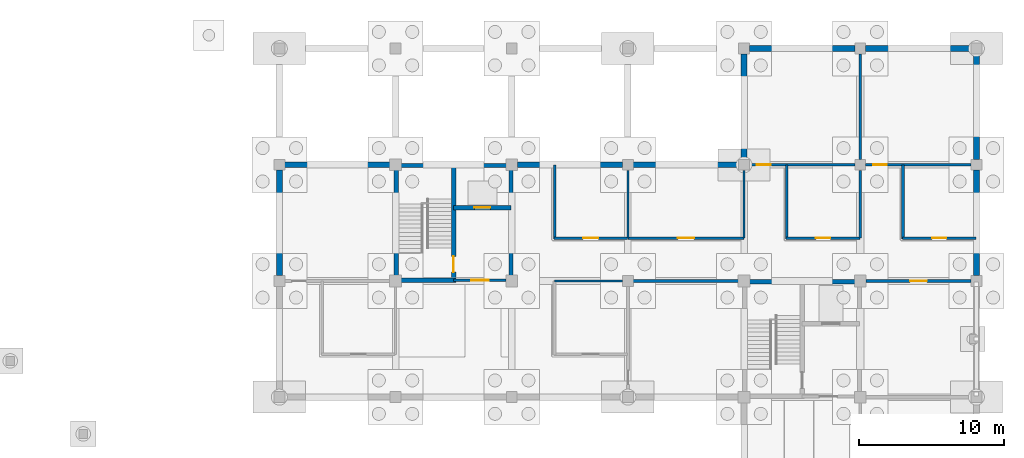
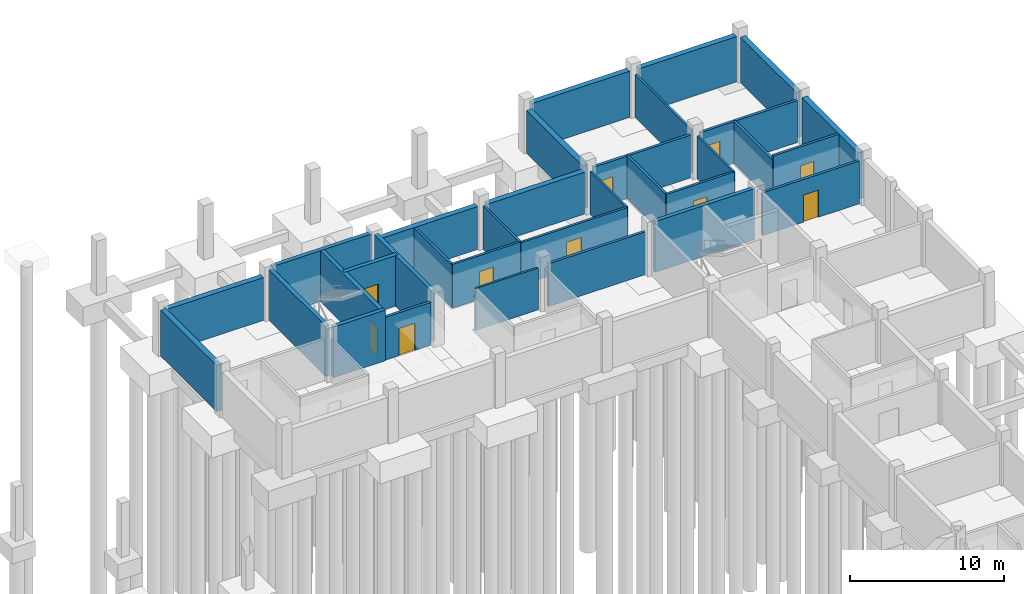
# One storey, part 38 of 48: 33 walls, 10 doors, 10 openings.
"""IFC4 building model written with IfcOpenShell, lengths in metres."""

from ifc_helpers import new_model, si_unit, derived_unit, direction, frame, frame_2d, origin, place, context, subcontext, project, spatial, rectangle, extrude, material, layer, layer_set, type_object, element, fill, save


model = new_model("IFC4")

# Units and contexts
model_context = context("Model", 3, precision=1e-05, world=origin(), true_north=direction((0.0, 1.0)))
body_context = subcontext(model_context, "Body", "Model", "MODEL_VIEW")
ifc_project = project(units=[si_unit("LENGTHUNIT", "METRE"), si_unit("AREAUNIT", "SQUARE_METRE"), si_unit("VOLUMEUNIT", "CUBIC_METRE"), si_unit("PLANEANGLEUNIT", "RADIAN"), si_unit("MASSUNIT", "GRAM", prefix="KILO"), derived_unit("THERMALTRANSMITTANCEUNIT", [(si_unit("MASSUNIT", "GRAM", prefix="KILO"), 1), (si_unit("TIMEUNIT", "SECOND"), -3), (si_unit("THERMODYNAMICTEMPERATUREUNIT", "KELVIN"), -1)])], contexts=[model_context])

# Site, building, storey
site_placement = place(None, origin())
site = spatial("IfcSite", under=ifc_project, at=site_placement, CompositionType="ELEMENT")
building_placement = place(site_placement, origin())
building = spatial("IfcBuilding", under=site, at=building_placement, Name="Veyamyaing Civic Hall", CompositionType="ELEMENT")
storey_placement = place(building_placement, frame((0.0, 0.0, -4.2900390625)))
storey = spatial("IfcBuildingStorey", under=building, at=storey_placement, Name="B1", CompositionType="ELEMENT", Elevation=-4.2900390625)

# Walls
ifc_material_1 = material(Name="Concrete C40/50", Category="concrete")
ifc_layer_1 = layer(ifc_material_1, 0.39990234375, Name="Concrete C40/50")
ifc_layer_set_1 = layer_set([ifc_layer_1], Name="Concrete C40/50")
wall_type_1 = type_object("IfcWallType", Name="WT-01", PredefinedType="SHEAR", material=ifc_layer_set_1)
wall_1_placement = place(storey_placement, frame((128.360107421875, 104.0, 0.0), z_axis=(0.0, 0.0, 1.0), x_axis=(1.0, 0.0, 0.0)))
element("IfcWall", 1, at=wall_1_placement, inside=storey, type_object=wall_type_1, Name="Basement retaining wall WT-01 N 17.13", PredefinedType="SHEAR", context=body_context, shape_type="SweptSolid", body=[
    extrude(rectangle(XDim=7.2548828125, YDim=0.39990234375, at=frame_2d((3.62744140625, 0.0))), origin(), (0.0, 0.0, 1.0), 3.39013671875),
])
wall_2_placement = place(storey_placement, frame((128.0, 96.360107421875, 0.0), z_axis=(0.0, 0.0, 1.0), x_axis=(0.0, 1.0, 0.0)))
element("IfcWall", 2, at=wall_2_placement, inside=storey, type_object=wall_type_1, Name="Basement retaining wall WT-01 W 17.13", PredefinedType="SHEAR", context=body_context, shape_type="SweptSolid", body=[
    extrude(rectangle(XDim=7.27978515625, YDim=0.39990234375, at=frame_2d((3.639892578125, 0.0))), origin(), (0.0, 0.0, 1.0), 3.656982421875),
])
wall_3_placement = place(storey_placement, frame((144.385009765625, 104.0, 0.0), z_axis=(0.0, 0.0, 1.0), x_axis=(1.0, 0.0, 0.0)))
element("IfcWall", 3, at=wall_3_placement, inside=storey, type_object=wall_type_1, Name="Basement retaining wall WT-01 N 19.13", PredefinedType="SHEAR", context=body_context, shape_type="SweptSolid", body=[
    extrude(rectangle(XDim=7.2548828125, YDim=0.39990234375, at=frame_2d((3.62744140625, 0.0))), origin(), (0.0, 0.0, 1.0), 3.39111328125),
])
wall_4_placement = place(storey_placement, frame((152.360107421875, 104.0, 0.0), z_axis=(0.0, 0.0, 1.0), x_axis=(1.0, 0.0, 0.0)))
element("IfcWall", 4, at=wall_4_placement, inside=storey, type_object=wall_type_1, Name="Basement retaining wall WT-01 N 20.13", PredefinedType="SHEAR", context=body_context, shape_type="SweptSolid", body=[
    extrude(rectangle(XDim=7.27978515625, YDim=0.39990234375, at=frame_2d((3.639892578125, 0.0))), origin(), (0.0, 0.0, 1.0), 3.31396484375),
])
wall_5_placement = place(storey_placement, frame((160.360107421875, 112.0, 0.0), z_axis=(0.0, 0.0, 1.0), x_axis=(1.0, 0.0, 0.0)))
element("IfcWall", 5, at=wall_5_placement, inside=storey, type_object=wall_type_1, Name="Basement retaining wall WT-01 N 21.14", PredefinedType="SHEAR", context=body_context, shape_type="SweptSolid", body=[
    extrude(rectangle(XDim=7.27978515625, YDim=0.39990234375, at=frame_2d((3.639892578125, 0.0))), origin(), (0.0, 0.0, 1.0), 3.654052734375),
])
wall_6_placement = place(storey_placement, frame((160.0, 104.360107421875, 0.0), z_axis=(0.0, 0.0, 1.0), x_axis=(0.0, 1.0, 0.0)))
element("IfcWall", 6, at=wall_6_placement, inside=storey, type_object=wall_type_1, Name="Basement retaining wall WT-01 W 21.14", PredefinedType="SHEAR", context=body_context, shape_type="SweptSolid", body=[
    extrude(rectangle(XDim=7.27978515625, YDim=0.39990234375, at=frame_2d((3.639892578125, 0.0))), origin(), (0.0, 0.0, 1.0), 3.39892578125),
])
wall_7_placement = place(storey_placement, frame((176.0, 96.360107421875, 0.0), z_axis=(0.0, 0.0, 1.0), x_axis=(0.0, 1.0, 0.0)))
element("IfcWall", 7, at=wall_7_placement, inside=storey, type_object=wall_type_1, Name="Basement retaining wall WT-01 E 22.13", PredefinedType="SHEAR", context=body_context, shape_type="SweptSolid", body=[
    extrude(rectangle(XDim=7.27978515625, YDim=0.39990234375, at=frame_2d((3.639892578125, 0.0))), origin(), (0.0, 0.0, 1.0), 3.654052734375),
])
for number, where, z_axis, x_axis, name in (
    (8, (168.360107421875, 112.0, 0.0), (0.0, 0.0, 1.0), (1.0, 0.0, 0.0), "Basement retaining wall WT-01 N 22.14"),
    (9, (176.0, 104.360107421875, 0.0), (0.0, 0.0, 1.0), (0.0, 1.0, 0.0), "Basement retaining wall WT-01 E 22.14"),
):
    element("IfcWall", number, at=place(storey_placement, frame(where, z_axis=z_axis, x_axis=x_axis)), inside=storey, type_object=wall_type_1, Name=name, PredefinedType="SHEAR", context=body_context, shape_type="SweptSolid", body=[
        extrude(rectangle(XDim=7.27978515625, YDim=0.39990234375, at=frame_2d((3.639892578125, 0.0))), origin(), (0.0, 0.0, 1.0), 3.593994140625),
    ])
ifc_layer_2 = layer(ifc_material_1, 0.300048828125, Name="Concrete C40/50")
ifc_layer_set_2 = layer_set([ifc_layer_2], Name="Concrete C40/50")
wall_type_2 = type_object("IfcWallType", Name="WT-05", PredefinedType="SHEAR", material=ifc_layer_set_2)
for number, where, z_axis, x_axis, name in (
    (10, (160.2900390625, 95.949951171875, 0.0), (0.0, 0.0, 1.0), (1.0, 0.0, 0.0), "Core shear wall WT-05 CORE-3 B1.N"),
    (11, (136.050048828125, 96.2900390625, 0.0), (0.0, 0.0, 1.0), (0.0, 1.0, 0.0), "Core shear wall WT-05 CORE-4 B1.W"),
    (12, (136.2900390625, 103.949951171875, 0.0), (0.0, 0.0, 1.0), (1.0, 0.0, 0.0), "Core shear wall WT-05 CORE-4 B1.N"),
    (13, (143.949951171875, 96.2900390625, 0.0), (0.0, 0.0, 1.0), (0.0, 1.0, 0.0), "Core shear wall WT-05 CORE-4 B1.E"),
):
    element("IfcWall", number, at=place(storey_placement, frame(where, z_axis=z_axis, x_axis=x_axis)), inside=storey, type_object=wall_type_2, Name=name, PredefinedType="SHEAR", context=body_context, shape_type="SweptSolid", body=[
        extrude(rectangle(XDim=7.419921875, YDim=0.300048828125, at=frame_2d((3.7099609375, 0.0))), origin(), (0.0, 0.0, 1.0), 4.01513671875),
    ])
wall_8_placement = place(storey_placement, frame((136.2900390625, 96.050048828125, 0.0), z_axis=(0.0, 0.0, 1.0), x_axis=(1.0, 0.0, 0.0)))
element("IfcWall", 14, at=wall_8_placement, inside=storey, type_object=wall_type_2, Name="Core shear wall WT-05 CORE-4 B1.SS", PredefinedType="SHEAR", context=body_context, shape_type="SweptSolid", body=[
    extrude(rectangle(XDim=3.85986328125, YDim=0.300048828125, at=frame_2d((1.929931640625, 0.0))), origin(), (0.0, 0.0, 1.0), 4.01513671875),
])

# Wall, opening, door
wall_9_placement = place(storey_placement, frame((140.0, 96.050048828125, 0.0), z_axis=(0.0, 0.0, 1.0), x_axis=(0.0, 1.0, 0.0)))
wall_9 = element("IfcWall", 15, at=wall_9_placement, inside=storey, type_object=wall_type_2, Name="Core shear wall WT-05 CORE-4 B1.MID", PredefinedType="SHEAR", context=body_context, shape_type="SweptSolid", body=[
    extrude(rectangle(XDim=7.89990234375, YDim=0.300048828125, at=frame_2d((3.949951171875, 0.0))), origin(), (0.0, 0.0, 1.0), 4.01513671875),
])
opening_1_placement = place(wall_9_placement, frame((0.550048828125, 0.0, 0.0)))
opening_1 = element("IfcOpeningElement", 16, at=opening_1_placement, cuts=wall_9, Name="Opening D-03", PredefinedType="OPENING", context=body_context, shape_type="SweptSolid", body=[
    extrude(rectangle(XDim=1.10009765625, YDim=2.14990234375, at=frame_2d((0.550048828125, 1.074951171875))), frame((0.0, 0.159912109375, 0.0), z_axis=(0.0, -1.0, 0.0), x_axis=(1.0, 0.0, 0.0)), (0.0, 0.0, 1.0), 0.320068359375),
])
ifc_material_2 = material(Name="Galvanized steel S355J2", Category="steel")
door_type_1 = type_object("IfcDoorType", Name="D-03", OperationType="NOTDEFINED", PredefinedType="DOOR", material=ifc_material_2)
door_1_placement = place(opening_1_placement, origin())
door_1 = element("IfcDoor", 17, at=door_1_placement, inside=storey, type_object=door_type_1, Name="Exit stair fire door D-03 ST-04 B1", OperationType="SINGLE_SWING_LEFT", OverallHeight=2.14990234375, OverallWidth=1.10009765625, PredefinedType="DOOR", context=body_context, shape_type="SweptSolid", body=[
    extrude(rectangle(XDim=1.10009765625, YDim=2.14990234375, at=frame_2d((0.550048828125, 1.074951171875))), frame((0.0, 0.02490234375, 0.0), z_axis=(0.0, -1.0, 0.0), x_axis=(1.0, 0.0, 0.0)), (0.0, 0.0, 1.0), 0.050048828125),
])
fill(opening_1, door_1)

wall_10_placement = place(storey_placement, frame((140.0, 101.050048828125, 0.0), z_axis=(0.0, 0.0, 1.0), x_axis=(1.0, 0.0, 0.0)))
wall_10 = element("IfcWall", 18, at=wall_10_placement, inside=storey, type_object=wall_type_2, Name="Core shear wall WT-05 CORE-4 B1.LFT", PredefinedType="SHEAR", context=body_context, shape_type="SweptSolid", body=[
    extrude(rectangle(XDim=3.949951171875, YDim=0.300048828125, at=frame_2d((1.97509765625, 0.0))), origin(), (0.0, 0.0, 1.0), 4.01513671875),
])
opening_2_placement = place(wall_10_placement, frame((1.425048828125, 0.0, 0.0)))
opening_2 = element("IfcOpeningElement", 19, at=opening_2_placement, cuts=wall_10, Name="Opening LD-01", PredefinedType="OPENING", context=body_context, shape_type="SweptSolid", body=[
    extrude(rectangle(XDim=1.10009765625, YDim=2.199951171875, at=frame_2d((0.550048828125, 1.10009765625))), frame((0.0, 0.159912109375, 0.0), z_axis=(0.0, -1.0, 0.0), x_axis=(1.0, 0.0, 0.0)), (0.0, 0.0, 1.0), 0.320068359375),
])
ifc_material_3 = material(Name="Anodised aluminium 6063-T6", Category="aluminium")
door_type_2 = type_object("IfcDoorType", Name="LD-01", OperationType="SLIDING_TO_LEFT", PredefinedType="DOOR", material=ifc_material_3)
door_2_placement = place(opening_2_placement, origin())
door_2 = element("IfcDoor", 20, at=door_2_placement, inside=storey, type_object=door_type_2, Name="Lift sliding landing door LD-01 PL-02 B1", OperationType="SLIDING_TO_LEFT", OverallHeight=2.199951171875, OverallWidth=1.10009765625, PredefinedType="DOOR", context=body_context, shape_type="SweptSolid", body=[
    extrude(rectangle(XDim=1.10009765625, YDim=2.199951171875, at=frame_2d((0.550048828125, 1.10009765625))), frame((0.0, 0.02490234375, 0.0), z_axis=(0.0, -1.0, 0.0), x_axis=(1.0, 0.0, 0.0)), (0.0, 0.0, 1.0), 0.050048828125),
])
fill(opening_2, door_2)

ifc_layer_3 = layer(ifc_material_1, 0.199951171875, Name="Concrete C40/50")
ifc_layer_set_3 = layer_set([ifc_layer_3], Name="Concrete C40/50")
wall_type_3 = type_object("IfcWallType", Name="WT-06", PredefinedType="PARTITIONING", material=ifc_layer_set_3)
wall_11_placement = place(storey_placement, frame((140.0, 96.050048828125, 0.0), z_axis=(0.0, 0.0, 1.0), x_axis=(1.0, 0.0, 0.0)))
wall_11 = element("IfcWall", 21, at=wall_11_placement, inside=storey, type_object=wall_type_3, Name="Firefighting lift lobby wall WT-06 CORE-4 B1", PredefinedType="PARTITIONING", context=body_context, shape_type="SweptSolid", body=[
    extrude(rectangle(XDim=3.610107421875, YDim=0.199951171875, at=frame_2d((1.80517578125, 0.0))), origin(), (0.0, 0.0, 1.0), 3.383056640625),
])
opening_3_placement = place(wall_11_placement, frame((1.205078125, 0.0, 0.0)))
opening_3 = element("IfcOpeningElement", 22, at=opening_3_placement, cuts=wall_11, Name="Opening D-04", PredefinedType="OPENING", context=body_context, shape_type="SweptSolid", body=[
    extrude(rectangle(XDim=1.199951171875, YDim=2.14990234375, at=frame_2d((0.60009765625, 1.074951171875))), frame((0.0, 0.10986328125, 0.0), z_axis=(0.0, -1.0, 0.0), x_axis=(1.0, 0.0, 0.0)), (0.0, 0.0, 1.0), 0.219970703125),
])
door_type_3 = type_object("IfcDoorType", Name="D-04", OperationType="NOTDEFINED", PredefinedType="DOOR", material=ifc_material_2)
door_3_placement = place(opening_3_placement, frame((1.199951171875, 0.0, 0.0), z_axis=(0.0, 0.0, 1.0), x_axis=(-1.0, 0.0, 0.0)))
door_3 = element("IfcDoor", 23, at=door_3_placement, inside=storey, type_object=door_type_3, Name="Protected lobby fire door D-04 CORE-4 B1", OperationType="SINGLE_SWING_RIGHT", OverallHeight=2.14990234375, OverallWidth=1.199951171875, PredefinedType="DOOR", context=body_context, shape_type="SweptSolid", body=[
    extrude(rectangle(XDim=1.199951171875, YDim=2.14990234375, at=frame_2d((0.60009765625, 1.074951171875))), frame((0.0, 0.02490234375, 0.0), z_axis=(0.0, -1.0, 0.0), x_axis=(1.0, 0.0, 0.0)), (0.0, 0.0, 1.0), 0.050048828125),
])
fill(opening_3, door_3)

# Wall
wall_12_placement = place(storey_placement, frame((152.364990234375, 96.0, 0.0), z_axis=(0.0, 0.0, 1.0), x_axis=(1.0, 0.0, 0.0)))
element("IfcWall", 24, at=wall_12_placement, inside=storey, type_object=wall_type_3, Name="Interior partition wall WT-06 B1.62", PredefinedType="PARTITIONING", context=body_context, shape_type="SweptSolid", body=[
    extrude(rectangle(XDim=7.2451171875, YDim=0.199951171875, at=frame_2d((3.62255859375, 0.0))), origin(), (0.0, 0.0, 1.0), 3.384033203125),
])

# Wall, opening, door
wall_13_placement = place(storey_placement, frame((160.364990234375, 104.0, 0.0), z_axis=(0.0, 0.0, 1.0), x_axis=(1.0, 0.0, 0.0)))
wall_13 = element("IfcWall", 25, at=wall_13_placement, inside=storey, type_object=wall_type_3, Name="Interior partition wall WT-06 B1.70", PredefinedType="PARTITIONING", context=body_context, shape_type="SweptSolid", body=[
    extrude(rectangle(XDim=7.27001953125, YDim=0.199951171875, at=frame_2d((3.635009765625, 0.0))), origin(), (0.0, 0.0, 1.0), 3.383056640625),
])
opening_4_placement = place(wall_13_placement, frame((0.52001953125, 0.0, 0.0)))
opening_4 = element("IfcOpeningElement", 26, at=opening_4_placement, cuts=wall_13, Name="Opening D-30", PredefinedType="OPENING", context=body_context, shape_type="SweptSolid", body=[
    extrude(rectangle(XDim=0.93994140625, YDim=2.1201171875, at=frame_2d((0.469970703125, 1.06005859375))), frame((0.0, 0.10986328125, 0.0), z_axis=(0.0, -1.0, 0.0), x_axis=(1.0, 0.0, 0.0)), (0.0, 0.0, 1.0), 0.219970703125),
])
ifc_material_4 = material(Name="Teak-veneered acoustic timber", Category="wood")
door_type_4 = type_object("IfcDoorType", Name="D-30", OperationType="NOTDEFINED", PredefinedType="DOOR", material=ifc_material_4)
door_4_placement = place(opening_4_placement, origin())
door_4 = element("IfcDoor", 27, at=door_4_placement, inside=storey, type_object=door_type_4, Name="Interior door D-30 B1.70", OperationType="SINGLE_SWING_RIGHT", OverallHeight=2.1201171875, OverallWidth=0.93994140625, PredefinedType="DOOR", context=body_context, shape_type="SweptSolid", body=[
    extrude(rectangle(XDim=0.93994140625, YDim=2.1201171875, at=frame_2d((0.469970703125, 1.06005859375))), frame((0.0, 0.02490234375, 0.0), z_axis=(0.0, -1.0, 0.0), x_axis=(1.0, 0.0, 0.0)), (0.0, 0.0, 1.0), 0.050048828125),
])
fill(opening_4, door_4)

wall_14_placement = place(storey_placement, frame((168.389892578125, 96.0, 0.0), z_axis=(0.0, 0.0, 1.0), x_axis=(1.0, 0.0, 0.0)))
wall_14 = element("IfcWall", 28, at=wall_14_placement, inside=storey, type_object=wall_type_3, Name="Interior partition wall WT-06 B1.73", PredefinedType="PARTITIONING", context=body_context, shape_type="SweptSolid", body=[
    extrude(rectangle(XDim=7.2451171875, YDim=0.199951171875, at=frame_2d((3.62255859375, 0.0))), origin(), (0.0, 0.0, 1.0), 3.383056640625),
])
opening_5_placement = place(wall_14_placement, frame((3.047607421875, 0.0, 0.0)))
opening_5 = element("IfcOpeningElement", 29, at=opening_5_placement, cuts=wall_14, Name="Opening D-17", PredefinedType="OPENING", context=body_context, shape_type="SweptSolid", body=[
    extrude(rectangle(XDim=1.14990234375, YDim=2.14990234375, at=frame_2d((0.574951171875, 1.074951171875))), frame((0.0, 0.10986328125, 0.0), z_axis=(0.0, -1.0, 0.0), x_axis=(1.0, 0.0, 0.0)), (0.0, 0.0, 1.0), 0.219970703125),
])
door_type_5 = type_object("IfcDoorType", Name="D-17", OperationType="NOTDEFINED", PredefinedType="DOOR", material=ifc_material_2)
door_5_placement = place(opening_5_placement, frame((1.14990234375, 0.0, 0.0), z_axis=(0.0, 0.0, 1.0), x_axis=(-1.0, 0.0, 0.0)))
door_5 = element("IfcDoor", 30, at=door_5_placement, inside=storey, type_object=door_type_5, Name="Interior door D-17 B1.73", OperationType="SINGLE_SWING_LEFT", OverallHeight=2.14990234375, OverallWidth=1.14990234375, PredefinedType="DOOR", context=body_context, shape_type="SweptSolid", body=[
    extrude(rectangle(XDim=1.14990234375, YDim=2.14990234375, at=frame_2d((0.574951171875, 1.074951171875))), frame((0.0, 0.02490234375, 0.0), z_axis=(0.0, -1.0, 0.0), x_axis=(1.0, 0.0, 0.0)), (0.0, 0.0, 1.0), 0.050048828125),
])
fill(opening_5, door_5)

wall_15_placement = place(storey_placement, frame((168.364990234375, 104.0, 0.0), z_axis=(0.0, 0.0, 1.0), x_axis=(1.0, 0.0, 0.0)))
wall_15 = element("IfcWall", 31, at=wall_15_placement, inside=storey, type_object=wall_type_3, Name="Interior partition wall WT-06 B1.74", PredefinedType="PARTITIONING", context=body_context, shape_type="SweptSolid", body=[
    extrude(rectangle(XDim=7.27001953125, YDim=0.199951171875, at=frame_2d((3.635009765625, 0.0))), origin(), (0.0, 0.0, 1.0), 3.31591796875),
])
opening_6_placement = place(wall_15_placement, frame((0.52001953125, 0.0, 0.0)))
opening_6 = element("IfcOpeningElement", 32, at=opening_6_placement, cuts=wall_15, Name="Opening D-30", PredefinedType="OPENING", context=body_context, shape_type="SweptSolid", body=[
    extrude(rectangle(XDim=0.93994140625, YDim=2.1201171875, at=frame_2d((0.469970703125, 1.06005859375))), frame((0.0, 0.10986328125, 0.0), z_axis=(0.0, -1.0, 0.0), x_axis=(1.0, 0.0, 0.0)), (0.0, 0.0, 1.0), 0.219970703125),
])
door_6_placement = place(opening_6_placement, origin())
door_6 = element("IfcDoor", 33, at=door_6_placement, inside=storey, type_object=door_type_4, Name="Interior door D-30 B1.74", OperationType="SINGLE_SWING_RIGHT", OverallHeight=2.1201171875, OverallWidth=0.93994140625, PredefinedType="DOOR", context=body_context, shape_type="SweptSolid", body=[
    extrude(rectangle(XDim=0.93994140625, YDim=2.1201171875, at=frame_2d((0.469970703125, 1.06005859375))), frame((0.0, 0.02490234375, 0.0), z_axis=(0.0, -1.0, 0.0), x_axis=(1.0, 0.0, 0.0)), (0.0, 0.0, 1.0), 0.050048828125),
])
fill(opening_6, door_6)

ifc_material_5 = material(Name="Gypsum board on acoustic steel stud", Category="steel")
ifc_layer_4 = layer(ifc_material_5, 0.175048828125, Name="Gypsum board on acoustic steel stud")
ifc_layer_set_4 = layer_set([ifc_layer_4], Name="Gypsum board on acoustic steel stud")
wall_type_4 = type_object("IfcWallType", Name="WT-07", PredefinedType="PARTITIONING", material=ifc_layer_set_4)
wall_16_placement = place(storey_placement, frame((146.89990234375, 98.949951171875, 0.0), z_axis=(0.0, 0.0, 1.0), x_axis=(1.0, 0.0, 0.0)))
wall_16 = element("IfcWall", 34, at=wall_16_placement, inside=storey, type_object=wall_type_4, Name="Corridor gallery partition WT-07 B1.45.1", PredefinedType="PARTITIONING", context=body_context, shape_type="SweptSolid", body=[
    extrude(rectangle(XDim=5.080078125, YDim=0.175048828125, at=frame_2d((2.5400390625, 0.0))), origin(), (0.0, 0.0, 1.0), 3.450927734375),
])
opening_7_placement = place(wall_16_placement, frame((2.02001953125, 0.0, 0.0)))
opening_7 = element("IfcOpeningElement", 35, at=opening_7_placement, cuts=wall_16, Name="Opening D-24", PredefinedType="OPENING", context=body_context, shape_type="SweptSolid", body=[
    extrude(rectangle(XDim=1.0400390625, YDim=2.179931640625, at=frame_2d((0.52001953125, 1.08984375))), frame((0.0, 0.097412109375, 0.0), z_axis=(0.0, -1.0, 0.0), x_axis=(1.0, 0.0, 0.0)), (0.0, 0.0, 1.0), 0.195068359375),
])
door_type_6 = type_object("IfcDoorType", Name="D-24", OperationType="NOTDEFINED", PredefinedType="DOOR", material=ifc_material_4)
door_7_placement = place(opening_7_placement, origin())
door_7 = element("IfcDoor", 36, at=door_7_placement, inside=storey, type_object=door_type_6, Name="Gallery office door D-24 B1.45", OperationType="SINGLE_SWING_LEFT", OverallHeight=2.179931640625, OverallWidth=1.0400390625, PredefinedType="DOOR", context=body_context, shape_type="SweptSolid", body=[
    extrude(rectangle(XDim=1.0400390625, YDim=2.179931640625, at=frame_2d((0.52001953125, 1.08984375))), frame((0.0, 0.02490234375, 0.0), z_axis=(0.0, -1.0, 0.0), x_axis=(1.0, 0.0, 0.0)), (0.0, 0.0, 1.0), 0.050048828125),
])
fill(opening_7, door_7)

# Wall
wall_17_placement = place(storey_placement, frame((146.949951171875, 98.89990234375, 0.0), z_axis=(0.0, 0.0, 1.0), x_axis=(0.0, 1.0, 0.0)))
element("IfcWall", 37, at=wall_17_placement, inside=storey, type_object=wall_type_4, Name="Corridor gallery partition WT-07 B1.45.2", PredefinedType="PARTITIONING", context=body_context, shape_type="SweptSolid", body=[
    extrude(rectangle(XDim=5.080078125, YDim=0.175048828125, at=frame_2d((2.5400390625, 0.0))), origin(), (0.0, 0.0, 1.0), 3.384033203125),
])

# Wall, opening, door
wall_18_placement = place(storey_placement, frame((152.02001953125, 98.949951171875, 0.0), z_axis=(0.0, 0.0, 1.0), x_axis=(1.0, 0.0, 0.0)))
wall_18 = element("IfcWall", 38, at=wall_18_placement, inside=storey, type_object=wall_type_4, Name="Corridor gallery partition WT-07 B1.47.1", PredefinedType="PARTITIONING", context=body_context, shape_type="SweptSolid", body=[
    extrude(rectangle(XDim=7.9599609375, YDim=0.175048828125, at=frame_2d((3.97998046875, 0.0))), origin(), (0.0, 0.0, 1.0), 3.383056640625),
])
opening_8_placement = place(wall_18_placement, frame((3.419921875, 0.0, 0.0)))
opening_8 = element("IfcOpeningElement", 39, at=opening_8_placement, cuts=wall_18, Name="Opening D-26", PredefinedType="OPENING", context=body_context, shape_type="SweptSolid", body=[
    extrude(rectangle(XDim=1.1201171875, YDim=2.219970703125, at=frame_2d((0.56005859375, 1.10986328125))), frame((0.0, 0.097412109375, 0.0), z_axis=(0.0, -1.0, 0.0), x_axis=(1.0, 0.0, 0.0)), (0.0, 0.0, 1.0), 0.195068359375),
])
door_type_7 = type_object("IfcDoorType", Name="D-26", OperationType="NOTDEFINED", PredefinedType="DOOR", material=ifc_material_4)
door_8_placement = place(opening_8_placement, origin())
door_8 = element("IfcDoor", 40, at=door_8_placement, inside=storey, type_object=door_type_7, Name="Gallery office door D-26 B1.47", OperationType="SINGLE_SWING_LEFT", OverallHeight=2.219970703125, OverallWidth=1.1201171875, PredefinedType="DOOR", context=body_context, shape_type="SweptSolid", body=[
    extrude(rectangle(XDim=1.1201171875, YDim=2.219970703125, at=frame_2d((0.56005859375, 1.10986328125))), frame((0.0, 0.02490234375, 0.0), z_axis=(0.0, -1.0, 0.0), x_axis=(1.0, 0.0, 0.0)), (0.0, 0.0, 1.0), 0.050048828125),
])
fill(opening_8, door_8)

wall_19_placement = place(storey_placement, frame((162.89990234375, 98.949951171875, 0.0), z_axis=(0.0, 0.0, 1.0), x_axis=(1.0, 0.0, 0.0)))
wall_19 = element("IfcWall", 41, at=wall_19_placement, inside=storey, type_object=wall_type_4, Name="Corridor gallery partition WT-07 B1.51.1", PredefinedType="PARTITIONING", context=body_context, shape_type="SweptSolid", body=[
    extrude(rectangle(XDim=5.080078125, YDim=0.175048828125, at=frame_2d((2.5400390625, 0.0))), origin(), (0.0, 0.0, 1.0), 3.39208984375),
])
opening_9_placement = place(wall_19_placement, frame((2.0400390625, 0.0, 0.0)))
opening_9 = element("IfcOpeningElement", 42, at=opening_9_placement, cuts=wall_19, Name="Opening D-13", PredefinedType="OPENING", context=body_context, shape_type="SweptSolid", body=[
    extrude(rectangle(XDim=1.0, YDim=2.14990234375, at=frame_2d((0.5, 1.074951171875))), frame((0.0, 0.097412109375, 0.0), z_axis=(0.0, -1.0, 0.0), x_axis=(1.0, 0.0, 0.0)), (0.0, 0.0, 1.0), 0.195068359375),
])
door_type_8 = type_object("IfcDoorType", Name="D-13", OperationType="NOTDEFINED", PredefinedType="DOOR", material=ifc_material_4)
door_9_placement = place(opening_9_placement, origin())
door_9 = element("IfcDoor", 43, at=door_9_placement, inside=storey, type_object=door_type_8, Name="Gallery office door D-13 B1.51", OperationType="SINGLE_SWING_LEFT", OverallHeight=2.14990234375, OverallWidth=1.0, PredefinedType="DOOR", context=body_context, shape_type="SweptSolid", body=[
    extrude(rectangle(XDim=1.0, YDim=2.14990234375, at=frame_2d((0.5, 1.074951171875))), frame((0.0, 0.02490234375, 0.0), z_axis=(0.0, -1.0, 0.0), x_axis=(1.0, 0.0, 0.0)), (0.0, 0.0, 1.0), 0.050048828125),
])
fill(opening_9, door_9)

# Walls
wall_20_placement = place(storey_placement, frame((162.949951171875, 98.89990234375, 0.0), z_axis=(0.0, 0.0, 1.0), x_axis=(0.0, 1.0, 0.0)))
element("IfcWall", 44, at=wall_20_placement, inside=storey, type_object=wall_type_4, Name="Corridor gallery partition WT-07 B1.51.2", PredefinedType="PARTITIONING", context=body_context, shape_type="SweptSolid", body=[
    extrude(rectangle(XDim=5.080078125, YDim=0.175048828125, at=frame_2d((2.5400390625, 0.0))), origin(), (0.0, 0.0, 1.0), 3.383056640625),
])
ifc_material_6 = material(Name="Gypsum board on steel stud", Category="steel")
ifc_layer_5 = layer(ifc_material_6, 0.14990234375, Name="Gypsum board on steel stud")
ifc_layer_set_5 = layer_set([ifc_layer_5], Name="Gypsum board on steel stud")
wall_type_5 = type_object("IfcWallType", Name="WT-08", PredefinedType="PARTITIONING", material=ifc_layer_set_5)
wall_21_placement = place(storey_placement, frame((146.949951171875, 96.0, 0.0), z_axis=(0.0, 0.0, 1.0), x_axis=(1.0, 0.0, 0.0)))
element("IfcWall", 45, at=wall_21_placement, inside=storey, type_object=wall_type_5, Name="Gallery office end partition WT-08 B1.44.1", PredefinedType="PARTITIONING", context=body_context, shape_type="SweptSolid", body=[
    extrude(rectangle(XDim=4.6650390625, YDim=0.14990234375, at=frame_2d((2.33251953125, 0.0))), origin(), (0.0, 0.0, 1.0), 3.31591796875),
])
wall_22_placement = place(storey_placement, frame((152.0, 98.949951171875, 0.0), z_axis=(0.0, 0.0, 1.0), x_axis=(0.0, 1.0, 0.0)))
element("IfcWall", 46, at=wall_22_placement, inside=storey, type_object=wall_type_5, Name="Gallery office end partition WT-08 B1.45.2", PredefinedType="PARTITIONING", context=body_context, shape_type="SweptSolid", body=[
    extrude(rectangle(XDim=4.6650390625, YDim=0.14990234375, at=frame_2d((2.33251953125, 0.0))), origin(), (0.0, 0.0, 1.0), 3.450927734375),
])
wall_23_placement = place(storey_placement, frame((160.0, 98.949951171875, 0.0), z_axis=(0.0, 0.0, 1.0), x_axis=(0.0, 1.0, 0.0)))
element("IfcWall", 47, at=wall_23_placement, inside=storey, type_object=wall_type_5, Name="Gallery office end partition WT-08 B1.47.2", PredefinedType="PARTITIONING", context=body_context, shape_type="SweptSolid", body=[
    extrude(rectangle(XDim=4.6650390625, YDim=0.14990234375, at=frame_2d((2.33251953125, 0.0))), origin(), (0.0, 0.0, 1.0), 3.383056640625),
])
wall_24_placement = place(storey_placement, frame((168.0, 98.949951171875, 0.0), z_axis=(0.0, 0.0, 1.0), x_axis=(0.0, 1.0, 0.0)))
element("IfcWall", 48, at=wall_24_placement, inside=storey, type_object=wall_type_5, Name="Gallery office end partition WT-08 B1.51.2", PredefinedType="PARTITIONING", context=body_context, shape_type="SweptSolid", body=[
    extrude(rectangle(XDim=4.6650390625, YDim=0.14990234375, at=frame_2d((2.33251953125, 0.0))), origin(), (0.0, 0.0, 1.0), 3.39208984375),
])
ifc_material_7 = material(Name="Cement-board wet-area partition")
ifc_layer_6 = layer(ifc_material_7, 0.159912109375, Name="Cement-board wet-area partition")
ifc_layer_set_6 = layer_set([ifc_layer_6], Name="Cement-board wet-area partition")
wall_type_6 = type_object("IfcWallType", Name="WT-14", PredefinedType="PARTITIONING", material=ifc_layer_set_6)
wall_25_placement = place(storey_placement, frame((168.0, 104.364990234375, 0.0), z_axis=(0.0, 0.0, 1.0), x_axis=(0.0, 1.0, 0.0)))
element("IfcWall", 49, at=wall_25_placement, inside=storey, type_object=wall_type_6, Name="Interior partition wall WT-14 B1.71", PredefinedType="PARTITIONING", context=body_context, shape_type="SweptSolid", body=[
    extrude(rectangle(XDim=7.27001953125, YDim=0.159912109375, at=frame_2d((3.635009765625, 0.0))), origin(), (0.0, 0.0, 1.0), 3.384033203125),
])

# Wall, opening, door
ifc_material_8 = material(Name="Gypsum board on double acoustic stud")
ifc_layer_7 = layer(ifc_material_8, 0.18505859375, Name="Gypsum board on double acoustic stud")
ifc_layer_set_7 = layer_set([ifc_layer_7], Name="Gypsum board on double acoustic stud")
wall_type_7 = type_object("IfcWallType", Name="WT-19", PredefinedType="PARTITIONING", material=ifc_layer_set_7)
wall_26_placement = place(storey_placement, frame((170.89990234375, 98.949951171875, 0.0), z_axis=(0.0, 0.0, 1.0), x_axis=(1.0, 0.0, 0.0)))
wall_26 = element("IfcWall", 50, at=wall_26_placement, inside=storey, type_object=wall_type_7, Name="Corridor gallery partition WT-19 B1.52.1", PredefinedType="PARTITIONING", context=body_context, shape_type="SweptSolid", body=[
    extrude(rectangle(XDim=5.080078125, YDim=0.18505859375, at=frame_2d((2.5400390625, 0.0))), origin(), (0.0, 0.0, 1.0), 3.64697265625),
])
opening_10_placement = place(wall_26_placement, frame((2.050048828125, 0.0, 0.0)))
opening_10 = element("IfcOpeningElement", 51, at=opening_10_placement, cuts=wall_26, Name="Opening D-14", PredefinedType="OPENING", context=body_context, shape_type="SweptSolid", body=[
    extrude(rectangle(XDim=0.97998046875, YDim=2.14990234375, at=frame_2d((0.489990234375, 1.074951171875))), frame((0.0, 0.1025390625, 0.0), z_axis=(0.0, -1.0, 0.0), x_axis=(1.0, 0.0, 0.0)), (0.0, 0.0, 1.0), 0.205078125),
])
door_type_9 = type_object("IfcDoorType", Name="D-14", OperationType="NOTDEFINED", PredefinedType="DOOR", material=ifc_material_4)
door_10_placement = place(opening_10_placement, origin())
door_10 = element("IfcDoor", 52, at=door_10_placement, inside=storey, type_object=door_type_9, Name="Gallery office door D-14 B1.52", OperationType="SINGLE_SWING_RIGHT", OverallHeight=2.14990234375, OverallWidth=0.97998046875, PredefinedType="DOOR", context=body_context, shape_type="SweptSolid", body=[
    extrude(rectangle(XDim=0.97998046875, YDim=2.14990234375, at=frame_2d((0.489990234375, 1.074951171875))), frame((0.0, 0.02490234375, 0.0), z_axis=(0.0, -1.0, 0.0), x_axis=(1.0, 0.0, 0.0)), (0.0, 0.0, 1.0), 0.050048828125),
])
fill(opening_10, door_10)

# Wall
wall_27_placement = place(storey_placement, frame((170.949951171875, 98.89990234375, 0.0), z_axis=(0.0, 0.0, 1.0), x_axis=(0.0, 1.0, 0.0)))
element("IfcWall", 53, at=wall_27_placement, inside=storey, type_object=wall_type_7, Name="Corridor gallery partition WT-19 B1.52.2", PredefinedType="PARTITIONING", context=body_context, shape_type="SweptSolid", body=[
    extrude(rectangle(XDim=5.080078125, YDim=0.18505859375, at=frame_2d((2.5400390625, 0.0))), origin(), (0.0, 0.0, 1.0), 3.31591796875),
])

save(model, "model.ifc")
